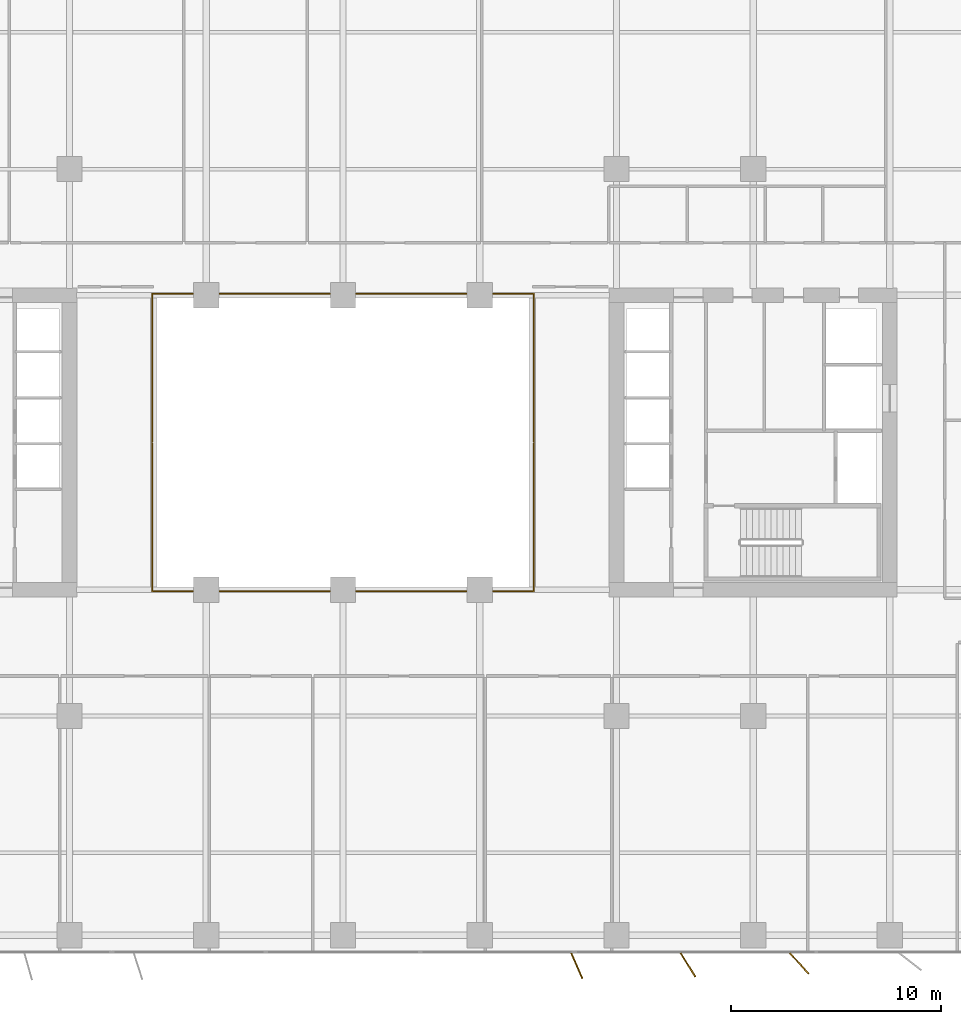
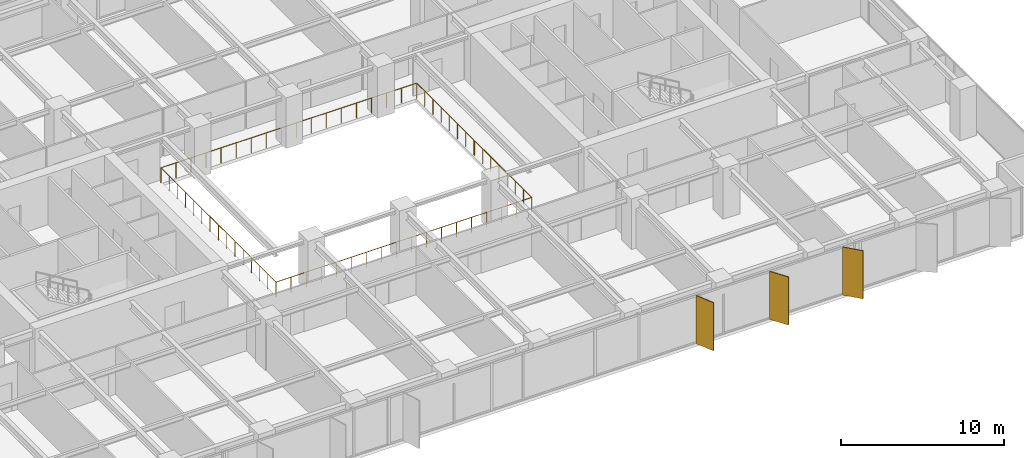
# One storey, part 18 of 20: 3 shading devices, 2 railings.
"""IFC4 building model written with IfcOpenShell, lengths in metres."""

from ifc_helpers import new_model, si_unit, direction, frame, origin, origin_2d, place, context, subcontext, project, spatial, rectangle, circle, extrude, material, layer, layer_set, type_object, element, save


model = new_model("IFC4")

# Units and contexts
model_context = context("Model", 3, precision=1e-05, world=origin(), true_north=direction((0.0, 1.0)))
body_context = subcontext(model_context, "Body", "Model", "MODEL_VIEW")
ifc_project = project(units=[si_unit("LENGTHUNIT", "METRE"), si_unit("AREAUNIT", "SQUARE_METRE"), si_unit("VOLUMEUNIT", "CUBIC_METRE"), si_unit("PLANEANGLEUNIT", "RADIAN"), si_unit("MASSUNIT", "GRAM", prefix="KILO")], contexts=[model_context])

# Site, building, storey
site_placement = place(None, origin())
site = spatial("IfcSite", under=ifc_project, at=site_placement, CompositionType="ELEMENT")
building_placement = place(site_placement, origin())
building = spatial("IfcBuilding", under=site, at=building_placement, Name="Putna Gate Headquarters", CompositionType="ELEMENT")
storey_placement = place(building_placement, frame((0.0, 0.0, 127.800048828125)))
storey = spatial("IfcBuildingStorey", under=building, at=storey_placement, Name="L31", CompositionType="ELEMENT", Elevation=127.800048828125)

# Railings
ifc_material_1 = material(Name="Anodised bronze and laminated glass atrium balustrade", Category="glass")
railing_type = type_object("IfcRailingType", Name="RAIL-ATRIUM-GUARD-1150", PredefinedType="GUARDRAIL", material=ifc_material_1)
railing_1_placement = place(storey_placement, frame((29.919921875, 25.969970703125, 0.0)))
element("IfcRailing", 1, at=railing_1_placement, inside=storey, type_object=railing_type, Name="L31 Central Atrium Glazed Balustrade South", PredefinedType="GUARDRAIL", context=body_context, shape_type="SweptSolid", body=[
    extrude(circle(Radius=0.02392578125, at=origin_2d()), frame((0.0, 0.0, 1.1259765625), z_axis=(0.0, -1.0, 0.0), x_axis=(1.0, 0.0, 0.0)), (0.0, 0.0, 1.0), 7.050048828125),
    extrude(circle(Radius=0.02392578125, at=origin_2d()), frame((0.0, -7.050048828125, 1.1259765625), z_axis=(1.0, 0.0, 0.0), x_axis=(0.0, 1.0, 0.0)), (0.0, 0.0, 1.0), 18.16015625),
    extrude(circle(Radius=0.02392578125, at=origin_2d()), frame((18.16015625, -7.050048828125, 1.1259765625), z_axis=(0.0, 1.0, 0.0), x_axis=(-1.0, 0.0, 0.0)), (0.0, 0.0, 1.0), 7.050048828125),
    extrude(circle(Radius=0.02099609375, at=origin_2d()), origin(), (0.0, 0.0, 1.0), 1.101806640625),
    extrude(circle(Radius=0.02099609375, at=origin_2d()), frame((0.0, -1.007080078125, 0.0)), (0.0, 0.0, 1.0), 1.101806640625),
    extrude(circle(Radius=0.02099609375, at=origin_2d()), frame((0.0, -2.014404296875, 0.0)), (0.0, 0.0, 1.0), 1.101806640625),
    extrude(circle(Radius=0.02099609375, at=origin_2d()), frame((0.0, -3.021484375, 0.0)), (0.0, 0.0, 1.0), 1.101806640625),
    extrude(circle(Radius=0.02099609375, at=origin_2d()), frame((0.0, -4.028564453125, 0.0)), (0.0, 0.0, 1.0), 1.101806640625),
    extrude(circle(Radius=0.02099609375, at=origin_2d()), frame((0.0, -5.03564453125, 0.0)), (0.0, 0.0, 1.0), 1.101806640625),
    extrude(circle(Radius=0.02099609375, at=origin_2d()), frame((0.0, -6.04296875, 0.0)), (0.0, 0.0, 1.0), 1.101806640625),
    extrude(circle(Radius=0.02099609375, at=origin_2d()), frame((0.0, -7.050048828125, 0.0)), (0.0, 0.0, 1.0), 1.101806640625),
    extrude(circle(Radius=0.02099609375, at=origin_2d()), frame((1.068359375, -7.050048828125, 0.0)), (0.0, 0.0, 1.0), 1.101806640625),
    extrude(circle(Radius=0.02099609375, at=origin_2d()), frame((2.136474609375, -7.050048828125, 0.0)), (0.0, 0.0, 1.0), 1.101806640625),
    extrude(circle(Radius=0.02099609375, at=origin_2d()), frame((3.204833984375, -7.050048828125, 0.0)), (0.0, 0.0, 1.0), 1.101806640625),
    extrude(circle(Radius=0.02099609375, at=origin_2d()), frame((4.27294921875, -7.050048828125, 0.0)), (0.0, 0.0, 1.0), 1.101806640625),
    extrude(circle(Radius=0.02099609375, at=origin_2d()), frame((5.34130859375, -7.050048828125, 0.0)), (0.0, 0.0, 1.0), 1.101806640625),
    extrude(circle(Radius=0.02099609375, at=origin_2d()), frame((6.409423828125, -7.050048828125, 0.0)), (0.0, 0.0, 1.0), 1.101806640625),
    extrude(circle(Radius=0.02099609375, at=origin_2d()), frame((7.477783203125, -7.050048828125, 0.0)), (0.0, 0.0, 1.0), 1.101806640625),
    extrude(circle(Radius=0.02099609375, at=origin_2d()), frame((8.5458984375, -7.050048828125, 0.0)), (0.0, 0.0, 1.0), 1.101806640625),
    extrude(circle(Radius=0.02099609375, at=origin_2d()), frame((9.6142578125, -7.050048828125, 0.0)), (0.0, 0.0, 1.0), 1.101806640625),
    extrude(circle(Radius=0.02099609375, at=origin_2d()), frame((10.682373046875, -7.050048828125, 0.0)), (0.0, 0.0, 1.0), 1.101806640625),
    extrude(circle(Radius=0.02099609375, at=origin_2d()), frame((11.750732421875, -7.050048828125, 0.0)), (0.0, 0.0, 1.0), 1.101806640625),
    extrude(circle(Radius=0.02099609375, at=origin_2d()), frame((12.81884765625, -7.050048828125, 0.0)), (0.0, 0.0, 1.0), 1.101806640625),
    extrude(circle(Radius=0.02099609375, at=origin_2d()), frame((13.88720703125, -7.050048828125, 0.0)), (0.0, 0.0, 1.0), 1.101806640625),
    extrude(circle(Radius=0.02099609375, at=origin_2d()), frame((14.955322265625, -7.050048828125, 0.0)), (0.0, 0.0, 1.0), 1.101806640625),
    extrude(circle(Radius=0.02099609375, at=origin_2d()), frame((16.023681640625, -7.050048828125, 0.0)), (0.0, 0.0, 1.0), 1.101806640625),
    extrude(circle(Radius=0.02099609375, at=origin_2d()), frame((17.091796875, -7.050048828125, 0.0)), (0.0, 0.0, 1.0), 1.101806640625),
    extrude(circle(Radius=0.02099609375, at=origin_2d()), frame((18.16015625, -7.050048828125, 0.0)), (0.0, 0.0, 1.0), 1.101806640625),
    extrude(circle(Radius=0.02099609375, at=origin_2d()), frame((18.16015625, -6.04296875, 0.0)), (0.0, 0.0, 1.0), 1.101806640625),
    extrude(circle(Radius=0.02099609375, at=origin_2d()), frame((18.16015625, -5.03564453125, 0.0)), (0.0, 0.0, 1.0), 1.101806640625),
    extrude(circle(Radius=0.02099609375, at=origin_2d()), frame((18.16015625, -4.028564453125, 0.0)), (0.0, 0.0, 1.0), 1.101806640625),
    extrude(circle(Radius=0.02099609375, at=origin_2d()), frame((18.16015625, -3.021484375, 0.0)), (0.0, 0.0, 1.0), 1.101806640625),
    extrude(circle(Radius=0.02099609375, at=origin_2d()), frame((18.16015625, -2.014404296875, 0.0)), (0.0, 0.0, 1.0), 1.101806640625),
    extrude(circle(Radius=0.02099609375, at=origin_2d()), frame((18.16015625, -1.007080078125, 0.0)), (0.0, 0.0, 1.0), 1.101806640625),
    extrude(circle(Radius=0.02099609375, at=origin_2d()), frame((18.16015625, 0.0, 0.0)), (0.0, 0.0, 1.0), 1.101806640625),
])
railing_2_placement = place(storey_placement, frame((48.080078125, 26.030029296875, 0.0)))
element("IfcRailing", 2, at=railing_2_placement, inside=storey, type_object=railing_type, Name="L31 Central Atrium Glazed Balustrade North", PredefinedType="GUARDRAIL", context=body_context, shape_type="SweptSolid", body=[
    extrude(circle(Radius=0.02392578125, at=origin_2d()), frame((0.0, 0.0, 1.1259765625), z_axis=(0.0, 1.0, 0.0), x_axis=(-1.0, 0.0, 0.0)), (0.0, 0.0, 1.0), 7.050048828125),
    extrude(circle(Radius=0.02392578125, at=origin_2d()), frame((0.0, 7.050048828125, 1.1259765625), z_axis=(-1.0, 0.0, 0.0), x_axis=(0.0, -1.0, 0.0)), (0.0, 0.0, 1.0), 18.16015625),
    extrude(circle(Radius=0.02392578125, at=origin_2d()), frame((-18.16015625, 7.050048828125, 1.1259765625), z_axis=(0.0, -1.0, 0.0), x_axis=(1.0, 0.0, 0.0)), (0.0, 0.0, 1.0), 7.050048828125),
    extrude(circle(Radius=0.02099609375, at=origin_2d()), origin(), (0.0, 0.0, 1.0), 1.101806640625),
    extrude(circle(Radius=0.02099609375, at=origin_2d()), frame((0.0, 1.007080078125, 0.0)), (0.0, 0.0, 1.0), 1.101806640625),
    extrude(circle(Radius=0.02099609375, at=origin_2d()), frame((0.0, 2.014404296875, 0.0)), (0.0, 0.0, 1.0), 1.101806640625),
    extrude(circle(Radius=0.02099609375, at=origin_2d()), frame((0.0, 3.021484375, 0.0)), (0.0, 0.0, 1.0), 1.101806640625),
    extrude(circle(Radius=0.02099609375, at=origin_2d()), frame((0.0, 4.028564453125, 0.0)), (0.0, 0.0, 1.0), 1.101806640625),
    extrude(circle(Radius=0.02099609375, at=origin_2d()), frame((0.0, 5.03564453125, 0.0)), (0.0, 0.0, 1.0), 1.101806640625),
    extrude(circle(Radius=0.02099609375, at=origin_2d()), frame((0.0, 6.04296875, 0.0)), (0.0, 0.0, 1.0), 1.101806640625),
    extrude(circle(Radius=0.02099609375, at=origin_2d()), frame((0.0, 7.050048828125, 0.0)), (0.0, 0.0, 1.0), 1.101806640625),
    extrude(circle(Radius=0.02099609375, at=origin_2d()), frame((-1.068359375, 7.050048828125, 0.0)), (0.0, 0.0, 1.0), 1.101806640625),
    extrude(circle(Radius=0.02099609375, at=origin_2d()), frame((-2.136474609375, 7.050048828125, 0.0)), (0.0, 0.0, 1.0), 1.101806640625),
    extrude(circle(Radius=0.02099609375, at=origin_2d()), frame((-3.204833984375, 7.050048828125, 0.0)), (0.0, 0.0, 1.0), 1.101806640625),
    extrude(circle(Radius=0.02099609375, at=origin_2d()), frame((-4.27294921875, 7.050048828125, 0.0)), (0.0, 0.0, 1.0), 1.101806640625),
    extrude(circle(Radius=0.02099609375, at=origin_2d()), frame((-5.34130859375, 7.050048828125, 0.0)), (0.0, 0.0, 1.0), 1.101806640625),
    extrude(circle(Radius=0.02099609375, at=origin_2d()), frame((-6.409423828125, 7.050048828125, 0.0)), (0.0, 0.0, 1.0), 1.101806640625),
    extrude(circle(Radius=0.02099609375, at=origin_2d()), frame((-7.477783203125, 7.050048828125, 0.0)), (0.0, 0.0, 1.0), 1.101806640625),
    extrude(circle(Radius=0.02099609375, at=origin_2d()), frame((-8.5458984375, 7.050048828125, 0.0)), (0.0, 0.0, 1.0), 1.101806640625),
    extrude(circle(Radius=0.02099609375, at=origin_2d()), frame((-9.6142578125, 7.050048828125, 0.0)), (0.0, 0.0, 1.0), 1.101806640625),
    extrude(circle(Radius=0.02099609375, at=origin_2d()), frame((-10.682373046875, 7.050048828125, 0.0)), (0.0, 0.0, 1.0), 1.101806640625),
    extrude(circle(Radius=0.02099609375, at=origin_2d()), frame((-11.750732421875, 7.050048828125, 0.0)), (0.0, 0.0, 1.0), 1.101806640625),
    extrude(circle(Radius=0.02099609375, at=origin_2d()), frame((-12.81884765625, 7.050048828125, 0.0)), (0.0, 0.0, 1.0), 1.101806640625),
    extrude(circle(Radius=0.02099609375, at=origin_2d()), frame((-13.88720703125, 7.050048828125, 0.0)), (0.0, 0.0, 1.0), 1.101806640625),
    extrude(circle(Radius=0.02099609375, at=origin_2d()), frame((-14.955322265625, 7.050048828125, 0.0)), (0.0, 0.0, 1.0), 1.101806640625),
    extrude(circle(Radius=0.02099609375, at=origin_2d()), frame((-16.023681640625, 7.050048828125, 0.0)), (0.0, 0.0, 1.0), 1.101806640625),
    extrude(circle(Radius=0.02099609375, at=origin_2d()), frame((-17.091796875, 7.050048828125, 0.0)), (0.0, 0.0, 1.0), 1.101806640625),
    extrude(circle(Radius=0.02099609375, at=origin_2d()), frame((-18.16015625, 7.050048828125, 0.0)), (0.0, 0.0, 1.0), 1.101806640625),
    extrude(circle(Radius=0.02099609375, at=origin_2d()), frame((-18.16015625, 6.04296875, 0.0)), (0.0, 0.0, 1.0), 1.101806640625),
    extrude(circle(Radius=0.02099609375, at=origin_2d()), frame((-18.16015625, 5.03564453125, 0.0)), (0.0, 0.0, 1.0), 1.101806640625),
    extrude(circle(Radius=0.02099609375, at=origin_2d()), frame((-18.16015625, 4.028564453125, 0.0)), (0.0, 0.0, 1.0), 1.101806640625),
    extrude(circle(Radius=0.02099609375, at=origin_2d()), frame((-18.16015625, 3.021484375, 0.0)), (0.0, 0.0, 1.0), 1.101806640625),
    extrude(circle(Radius=0.02099609375, at=origin_2d()), frame((-18.16015625, 2.014404296875, 0.0)), (0.0, 0.0, 1.0), 1.101806640625),
    extrude(circle(Radius=0.02099609375, at=origin_2d()), frame((-18.16015625, 1.007080078125, 0.0)), (0.0, 0.0, 1.0), 1.101806640625),
    extrude(circle(Radius=0.02099609375, at=origin_2d()), frame((-18.16015625, 0.0, 0.0)), (0.0, 0.0, 1.0), 1.101806640625),
])

# Shading devices
ifc_material_2 = material(Name="Anodised architectural bronze aluminium fin", Category="aluminium")
ifc_layer = layer(ifc_material_2, 0.06494140625)
ifc_layer_set = layer_set([ifc_layer], Name="Anodised architectural bronze aluminium fin")
shading_device_type = type_object("IfcShadingDeviceType", Name="SHADE-BRONZE-FIN-1320", PredefinedType="USERDEFINED", material=ifc_layer_set)
for number, where, z_axis, x_axis, name in (
    (3, (50.114501953125, 1.120361328125, -0.02001953125), (0.0, 0.0, 1.0), (0.400668879095, -0.916222925562, 0.0), "L31 Bronze Vertical Shading Fin S8"),
    (4, (55.400146484375, 1.16552734375, -0.02001953125), (0.0, 0.0, 1.0), (0.530659123936, -0.847585331506, 0.0), "L31 Bronze Vertical Shading Fin S9"),
    (5, (60.691650390625, 1.234619140625, -0.02001953125), (0.0, 0.0, 1.0), (0.669130606359, -0.743144825477, 0.0), "L31 Bronze Vertical Shading Fin S10"),
):
    element("IfcShadingDevice", number, at=place(storey_placement, frame(where, z_axis=z_axis, x_axis=x_axis)), inside=storey, type_object=shading_device_type, Name=name, ObjectType="FIN", PredefinedType="USERDEFINED", context=body_context, shape_type="SweptSolid", body=[
        extrude(rectangle(XDim=1.320068359375, YDim=0.06494140625, at=origin_2d()), origin(), (0.0, 0.0, 1.0), 3.60498046875),
    ])

save(model, "model.ifc")
